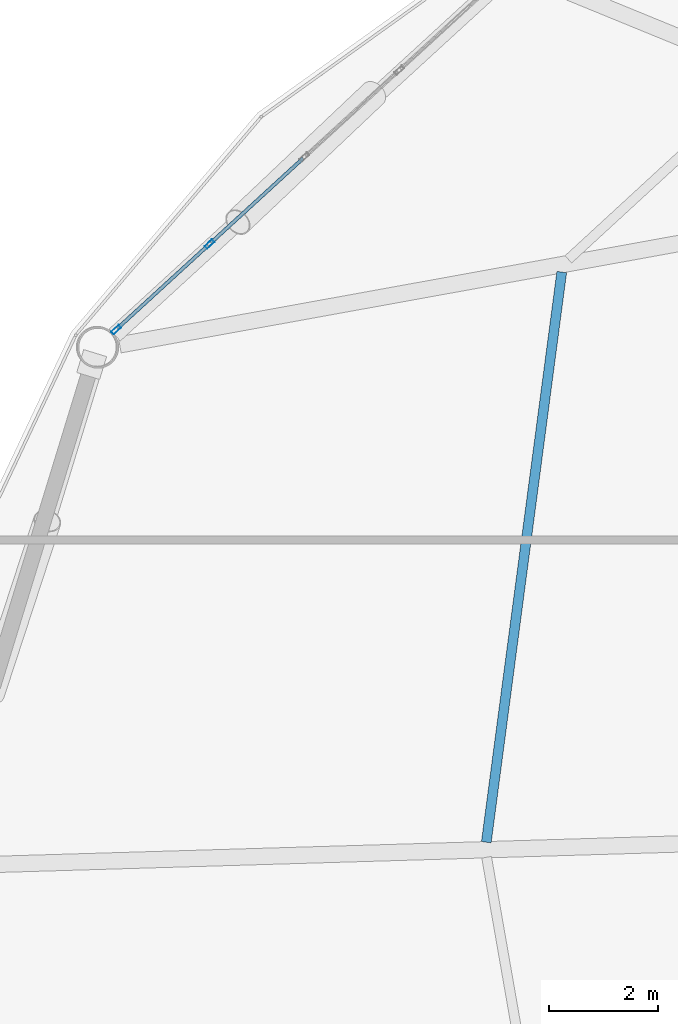
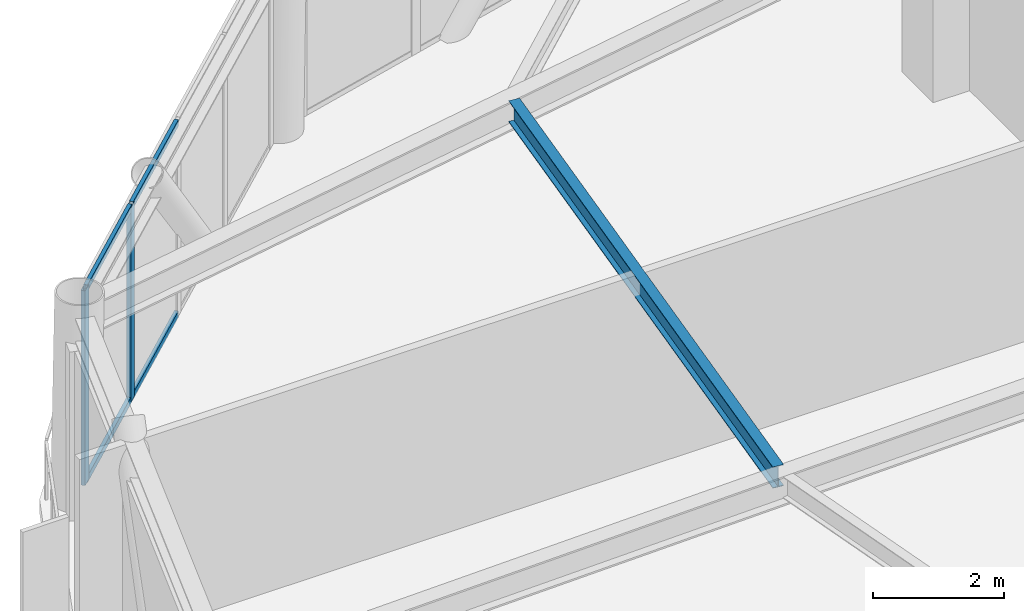
# One storey, part 11 of 26: 6 members, 1 beam, 1 element without a shape of its own.
"""IFC4 building model written with IfcOpenShell, lengths in metres."""

from ifc_helpers import new_model, si_unit, direction, frame, origin, origin_2d, place, context, subcontext, project, spatial, hollow_rectangle, i_section, extrude, material, layer, layer_set, material_profile, profile_set, type_object, element, aggregate, save


model = new_model("IFC4")

# Units and contexts
model_context = context("Model", 3, precision=1e-05, world=origin(), true_north=direction((0.0, 1.0)))
body_context = subcontext(model_context, "Body", "Model", "MODEL_VIEW")
ifc_project = project(units=[si_unit("LENGTHUNIT", "METRE"), si_unit("AREAUNIT", "SQUARE_METRE"), si_unit("VOLUMEUNIT", "CUBIC_METRE"), si_unit("PLANEANGLEUNIT", "RADIAN"), si_unit("MASSUNIT", "GRAM", prefix="KILO")], contexts=[model_context])

# Site, building, storey
site_placement = place(None, origin())
site = spatial("IfcSite", under=ifc_project, at=site_placement, CompositionType="ELEMENT")
building_placement = place(site_placement, origin())
building = spatial("IfcBuilding", under=site, at=building_placement, Name="Varnakorn Sky Granary", CompositionType="ELEMENT")
storey_placement = place(building_placement, frame((0.0, 0.0, 138.300048828125)))
storey = spatial("IfcBuildingStorey", under=building, at=storey_placement, Name="L34", CompositionType="ELEMENT", Elevation=138.300048828125)

# Beam
ifc_material_1 = material(Name="Steel S355JR", Category="steel")
ifc_material_profile_1 = material_profile(ifc_material_1, i_section(OverallWidth=0.179931640625, OverallDepth=0.39990234375, WebThickness=0.008544921875, FlangeThickness=0.013427734375, at=origin_2d()), Name="IPE 400")
ifc_profile_set_1 = profile_set([ifc_material_profile_1], Name="Steel S355JR")
beam_type = type_object("IfcBeamType", Name="BM-SEC-Z3", PredefinedType="BEAM", material=ifc_profile_set_1)
beam_placement = place(storey_placement, frame((-11.00390625, 10.928466796875, 3.43994140625), z_axis=(-0.131184377485, -0.991357987361, 0.0), x_axis=(0.991357987361, -0.131184377485, 0.0)))
element("IfcBeam", 1, at=beam_placement, inside=storey, type_object=beam_type, Name="Secondary Floor Chord Beam MSB06 L34", PredefinedType="BEAM", context=body_context, shape_type="SweptSolid", body=[
    extrude(i_section(OverallWidth=0.179931640625, OverallDepth=0.39990234375, WebThickness=0.008544921875, FlangeThickness=0.013427734375, at=origin_2d()), origin(), (0.0, 0.0, 1.0), 10.58203125),
])

# Curtain wall, members
ifc_material_2 = material(Name="Anodised Bronze Aluminium Alloy 6063-T6", Category="aluminium")
ifc_layer = layer(ifc_material_2, 0.179931640625, Name="Anodised Bronze Aluminium Alloy 6063-T6")
ifc_layer_set = layer_set([ifc_layer], Name="Anodised Bronze Aluminium Alloy 6063-T6")
curtain_wall_type = type_object("IfcCurtainWallType", Name="CW-FRM-2", PredefinedType="USERDEFINED", material=ifc_layer_set)
curtain_wall_placement = place(storey_placement, origin())
curtain_wall = element("IfcCurtainWall", 2, at=curtain_wall_placement, inside=storey, type_object=curtain_wall_type, Name="Unitised Curtain Wall CW4 CW-L34-B05", ObjectType="CURTAIN WALL", PredefinedType="USERDEFINED")
ifc_material_profile_2 = material_profile(ifc_material_2, hollow_rectangle(XDim=0.070068359375, YDim=0.18505859375, WallThickness=0.00390625, at=origin_2d()), Name="ALU MULL 70x185")
ifc_profile_set_2 = profile_set([ifc_material_profile_2], Name="Anodised Bronze Aluminium Alloy 6063-T6")
member_type_1 = type_object("IfcMemberType", Name="CW-FRM-2-MULL", PredefinedType="MULLION", material=ifc_profile_set_2)
member_1_placement = place(storey_placement, frame((-19.203857421875, 9.86962890625, 0.0), z_axis=(0.0, 0.0, 1.0), x_axis=(-0.675438035219, 0.737416748236, 0.0)))
member_1 = element("IfcMember", 3, at=member_1_placement, type_object=member_type_1, Name="CW4 mullion 1", PredefinedType="MULLION", context=body_context, shape_type="SweptSolid", body=[
    extrude(hollow_rectangle(XDim=0.070068359375, YDim=0.18505859375, WallThickness=0.00390625, at=origin_2d()), origin(), (0.0, 0.0, 1.0), 3.639892578125),
])
member_2_placement = place(storey_placement, frame((-17.484619140625, 11.4443359375, 0.0), z_axis=(0.0, 0.0, 1.0), x_axis=(-0.675438035219, 0.737416748236, 0.0)))
member_2 = element("IfcMember", 4, at=member_2_placement, type_object=member_type_1, Name="CW4 mullion 2", PredefinedType="MULLION", context=body_context, shape_type="SweptSolid", body=[
    extrude(hollow_rectangle(XDim=0.070068359375, YDim=0.18505859375, WallThickness=0.00390625, at=origin_2d()), origin(), (0.0, 0.0, 1.0), 3.639892578125),
])
ifc_material_profile_3 = material_profile(ifc_material_2, hollow_rectangle(XDim=0.06494140625, YDim=0.1201171875, WallThickness=0.00341796875, at=origin_2d()), Name="ALU TRAN 65x120")
ifc_profile_set_3 = profile_set([ifc_material_profile_3], Name="Anodised Bronze Aluminium Alloy 6063-T6")
member_type_2 = type_object("IfcMemberType", Name="CW-FRM-2-TRAN", PredefinedType="USERDEFINED", material=ifc_profile_set_3)
member_3_placement = place(storey_placement, frame((-19.177978515625, 9.89306640625, 0.032470703125), z_axis=(0.737360246557, 0.675499716356, 0.0), x_axis=(-0.675499716356, 0.737360246557, 0.0)))
member_3 = element("IfcMember", 5, at=member_3_placement, type_object=member_type_2, Name="CW4 transom 1.1", ObjectType="TRANSOM", PredefinedType="USERDEFINED", context=body_context, shape_type="SweptSolid", body=[
    extrude(hollow_rectangle(XDim=0.06494140625, YDim=0.1201171875, WallThickness=0.00341796875, at=origin_2d()), origin(), (0.0, 0.0, 1.0), 2.261474609375),
])
member_4_placement = place(storey_placement, frame((-19.177978515625, 9.89306640625, 3.607421875), z_axis=(0.737360246557, 0.675499716356, 0.0), x_axis=(-0.675499716356, 0.737360246557, 0.0)))
member_4 = element("IfcMember", 6, at=member_4_placement, type_object=member_type_2, Name="CW4 transom 1.2", ObjectType="TRANSOM", PredefinedType="USERDEFINED", context=body_context, shape_type="SweptSolid", body=[
    extrude(hollow_rectangle(XDim=0.06494140625, YDim=0.1201171875, WallThickness=0.00341796875, at=origin_2d()), origin(), (0.0, 0.0, 1.0), 2.261474609375),
])
member_5_placement = place(storey_placement, frame((-17.458740234375, 11.468017578125, 0.032470703125), z_axis=(0.737418874608, 0.675435713723, 0.0), x_axis=(-0.675435713723, 0.737418874608, 0.0)))
member_5 = element("IfcMember", 7, at=member_5_placement, type_object=member_type_2, Name="CW4 transom 2.1", ObjectType="TRANSOM", PredefinedType="USERDEFINED", context=body_context, shape_type="SweptSolid", body=[
    extrude(hollow_rectangle(XDim=0.06494140625, YDim=0.1201171875, WallThickness=0.00341796875, at=origin_2d()), origin(), (0.0, 0.0, 1.0), 2.29638671875),
])
member_6_placement = place(storey_placement, frame((-17.458740234375, 11.468017578125, 3.607421875), z_axis=(0.737418874608, 0.675435713723, 0.0), x_axis=(-0.675435713723, 0.737418874608, 0.0)))
member_6 = element("IfcMember", 8, at=member_6_placement, type_object=member_type_2, Name="CW4 transom 2.2", ObjectType="TRANSOM", PredefinedType="USERDEFINED", context=body_context, shape_type="SweptSolid", body=[
    extrude(hollow_rectangle(XDim=0.06494140625, YDim=0.1201171875, WallThickness=0.00341796875, at=origin_2d()), origin(), (0.0, 0.0, 1.0), 2.29638671875),
])
aggregate(curtain_wall, [member_1, member_2, member_3, member_4, member_5, member_6])

save(model, "model.ifc")
